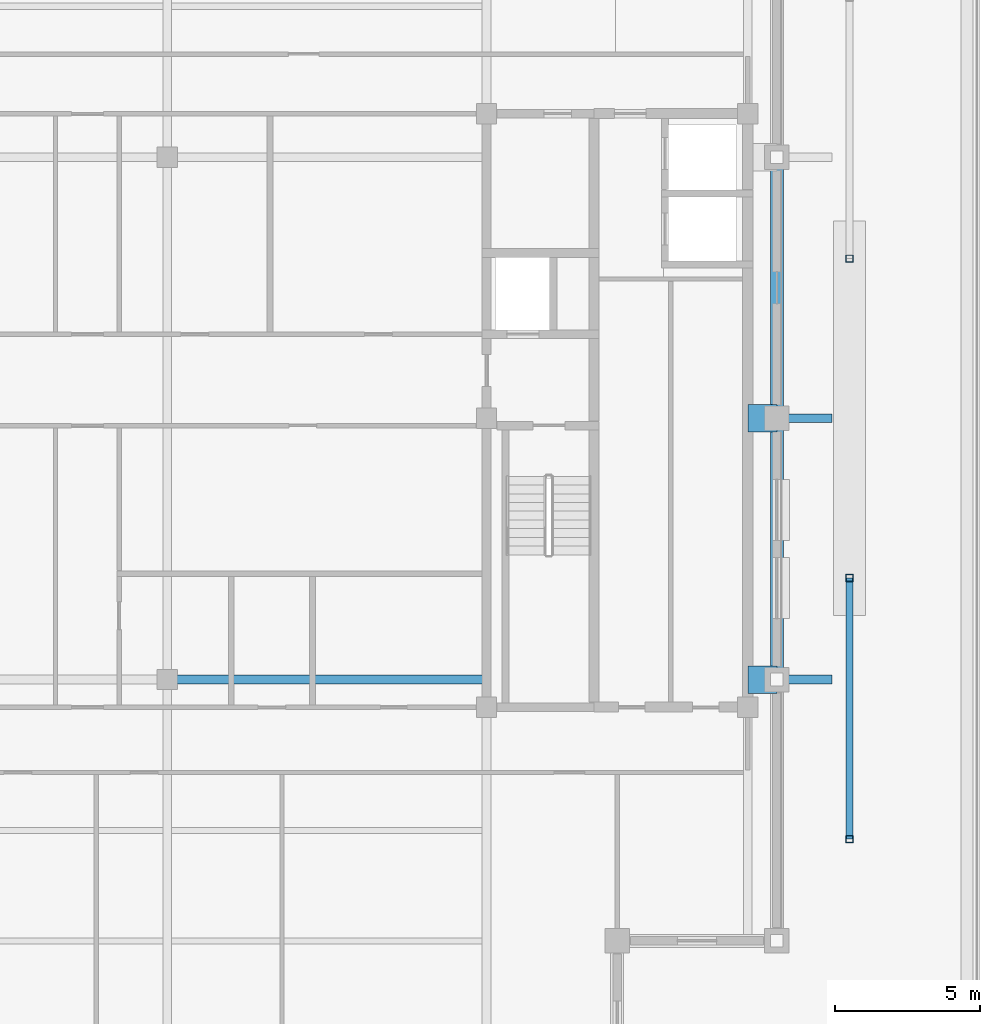
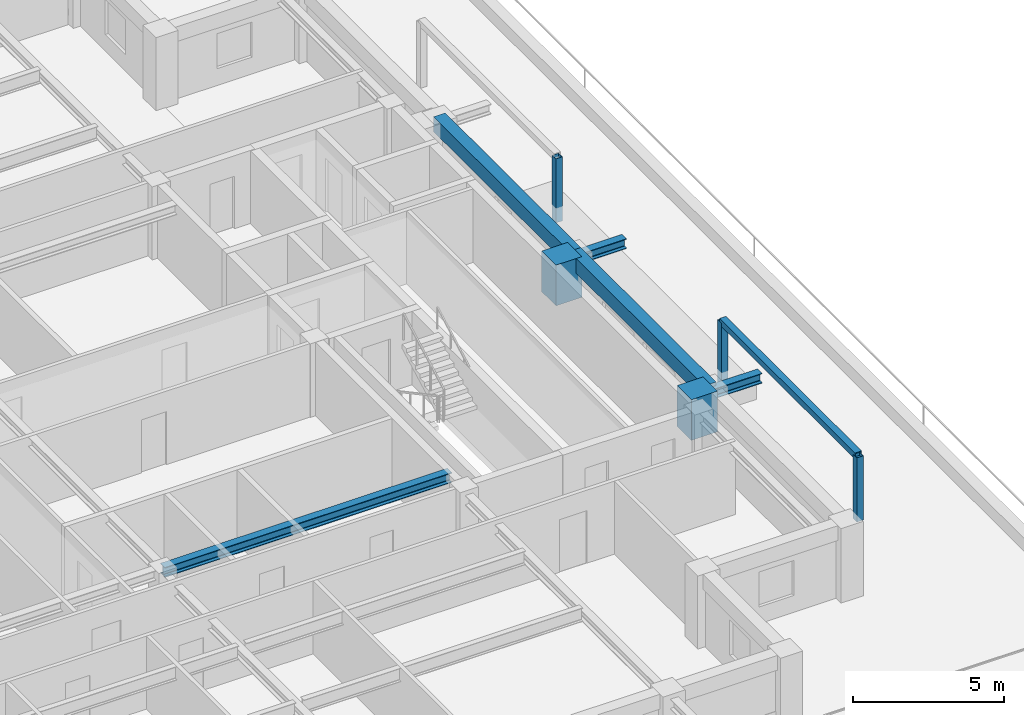
# One storey, part 2 of 14: 7 beams, 4 members.
"""IFC4 building model written with IfcOpenShell, lengths in metres."""

from ifc_helpers import new_model, si_unit, direction, frame, origin, origin_2d, place, context, subcontext, project, spatial, rectangle, hollow_rectangle, i_section, extrude, material, material_profile, profile_set, type_object, element, save


model = new_model("IFC4")

# Units and contexts
model_context = context("Model", 3, precision=1e-05, world=origin(), true_north=direction((0.0, 1.0)))
body_context = subcontext(model_context, "Body", "Model", "MODEL_VIEW")
ifc_project = project(units=[si_unit("LENGTHUNIT", "METRE"), si_unit("AREAUNIT", "SQUARE_METRE"), si_unit("VOLUMEUNIT", "CUBIC_METRE"), si_unit("PLANEANGLEUNIT", "RADIAN"), si_unit("MASSUNIT", "GRAM", prefix="KILO")], contexts=[model_context])

# Site, building, storey
site_placement = place(None, origin())
site = spatial("IfcSite", under=ifc_project, at=site_placement, CompositionType="ELEMENT")
building_placement = place(site_placement, origin())
building = spatial("IfcBuilding", under=site, at=building_placement, Name="Zulmaris Gate Convention Tower", CompositionType="ELEMENT")
storey_placement = place(building_placement, frame((0.0, 0.0, 254.429931640625)))
storey = spatial("IfcBuildingStorey", under=building, at=storey_placement, Name="L67", CompositionType="ELEMENT", Elevation=254.429931640625)

# Beams
ifc_material_1 = material(Name="Steel S355", Category="steel")
ifc_material_profile_1 = material_profile(ifc_material_1, i_section(OverallWidth=0.300048828125, OverallDepth=0.39990234375, WebThickness=0.013427734375, FlangeThickness=0.02392578125, FilletRadius=0.027099609375, at=origin_2d()), Name="HEB 400")
ifc_profile_set_1 = profile_set([ifc_material_profile_1], Name="Steel S355")
beam_type_1 = type_object("IfcBeamType", Name="BM-HEB400", PredefinedType="BEAM", material=ifc_profile_set_1)
for number, where, z_axis, x_axis, name in (
    (1, (21.0, -9.0, 2.639892578125), (1.0, 0.0, 0.0), (0.0, 1.0, 0.0), "L67 Beam TBRK-L67-E--9"),
    (2, (21.0, 0.0, 2.639892578125), (1.0, 0.0, 0.0), (0.0, 1.0, 0.0), "L67 Beam TBRK-L67-E-+0"),
):
    element("IfcBeam", number, at=place(storey_placement, frame(where, z_axis=z_axis, x_axis=x_axis)), inside=storey, type_object=beam_type_1, Name=name, PredefinedType="BEAM", context=body_context, shape_type="SweptSolid", body=[
        extrude(i_section(OverallWidth=0.300048828125, OverallDepth=0.39990234375, WebThickness=0.013427734375, FlangeThickness=0.02392578125, FilletRadius=0.027099609375, at=origin_2d()), origin(), (0.0, 0.0, 1.0), 1.89990234375),
    ])
beam_placement = place(storey_placement, frame((0.0, -9.0, 2.778076171875), z_axis=(1.0, 0.0, 0.0), x_axis=(0.0, 1.0, 0.0)))
element("IfcBeam", 3, at=beam_placement, inside=storey, type_object=beam_type_1, Name="L67 Beam BM-L67-G02", PredefinedType="BEAM", context=body_context, shape_type="SweptSolid", body=[
    extrude(i_section(OverallWidth=0.300048828125, OverallDepth=0.39990234375, WebThickness=0.013427734375, FlangeThickness=0.02392578125, FilletRadius=0.027099609375, at=origin_2d()), origin(), (0.0, 0.0, 1.0), 11.0),
])
ifc_material_2 = material(Name="Precast concrete C50/60", Category="concrete")
ifc_material_profile_2 = material_profile(ifc_material_2, rectangle(XDim=0.449951171875, YDim=0.60009765625, at=origin_2d()), Name="RC SPANDREL 450x600")
ifc_profile_set_2 = profile_set([ifc_material_profile_2], Name="Precast concrete C50/60")
beam_type_2 = type_object("IfcBeamType", Name="BM-SP450x600", PredefinedType="SPANDREL", material=ifc_profile_set_2)
for number, where, z_axis, x_axis, name in (
    (4, (21.0, -9.0, 2.679931640625), (0.0, 1.0, 0.0), (-1.0, 0.0, 0.0), "L67 Spandrel SP-L67-08"),
    (5, (21.0, 0.0, 2.679931640625), (0.0, 1.0, 0.0), (-1.0, 0.0, 0.0), "L67 Spandrel SP-L67-09"),
):
    element("IfcBeam", number, at=place(storey_placement, frame(where, z_axis=z_axis, x_axis=x_axis)), inside=storey, type_object=beam_type_2, Name=name, PredefinedType="SPANDREL", context=body_context, shape_type="SweptSolid", body=[
        extrude(rectangle(XDim=0.449951171875, YDim=0.60009765625, at=origin_2d()), origin(), (0.0, 0.0, 1.0), 9.0),
    ])
ifc_material_3 = material(Name="Concrete C80/95", Category="concrete")
ifc_material_profile_3 = material_profile(ifc_material_3, rectangle(XDim=0.949951171875, YDim=1.64990234375, at=origin_2d()), Name="RC TRANSFER 950x1650")
ifc_profile_set_3 = profile_set([ifc_material_profile_3], Name="Concrete C80/95")
beam_type_3 = type_object("IfcBeamType", Name="BM-XFER1650", PredefinedType="BEAM", material=ifc_profile_set_3)
for number, where, z_axis, x_axis, name in (
    (6, (20.0, -9.0, 2.155029296875), (1.0, 0.0, 0.0), (0.0, 1.0, 0.0), "L67 Beam BM-L67-G19"),
    (7, (20.0, 0.0, 2.155029296875), (1.0, 0.0, 0.0), (0.0, 1.0, 0.0), "L67 Beam BM-L67-G20"),
):
    element("IfcBeam", number, at=place(storey_placement, frame(where, z_axis=z_axis, x_axis=x_axis)), inside=storey, type_object=beam_type_3, Name=name, PredefinedType="BEAM", context=body_context, shape_type="SweptSolid", body=[
        extrude(rectangle(XDim=0.949951171875, YDim=1.64990234375, at=origin_2d()), origin(), (0.0, 0.0, 1.0), 1.0),
    ])

# Members
ifc_material_profile_4 = material_profile(ifc_material_1, hollow_rectangle(XDim=0.25, YDim=0.25, WallThickness=0.012451171875, at=origin_2d()), Name="SHS 250x250x12.5")
ifc_profile_set_4 = profile_set([ifc_material_profile_4], Name="Steel S355")
member_type = type_object("IfcMemberType", Name="ST-SHS250", PredefinedType="STRUT", material=ifc_profile_set_4)
for number, where, z_axis, x_axis, name in (
    (8, (23.5, -14.5, -0.0400390625), (0.0, 0.0, 1.0), (1.0, 0.0, 0.0), "L67 Exposed Terrace Planted Pergola Post 1A"),
    (9, (23.5, -5.5, -0.0400390625), (0.0, 0.0, 1.0), (1.0, 0.0, 0.0), "L67 Exposed Terrace Planted Pergola Post 1B"),
):
    element("IfcMember", number, at=place(storey_placement, frame(where, z_axis=z_axis, x_axis=x_axis)), inside=storey, type_object=member_type, Name=name, PredefinedType="STRUT", context=body_context, shape_type="SweptSolid", body=[
        extrude(hollow_rectangle(XDim=0.25, YDim=0.25, WallThickness=0.012451171875, at=origin_2d()), origin(), (0.0, 0.0, 1.0), 2.60009765625),
    ])
member_1_placement = place(storey_placement, frame((23.5, -14.5, 2.56005859375), z_axis=(0.0, 1.0, 0.0), x_axis=(-1.0, 0.0, 0.0)))
element("IfcMember", 10, at=member_1_placement, inside=storey, type_object=member_type, Name="L67 Exposed Terrace Planted Pergola Beam 1", PredefinedType="STRUT", context=body_context, shape_type="SweptSolid", body=[
    extrude(hollow_rectangle(XDim=0.25, YDim=0.25, WallThickness=0.012451171875, at=origin_2d()), origin(), (0.0, 0.0, 1.0), 9.0),
])
member_2_placement = place(storey_placement, frame((23.5, 5.5, -0.0400390625), z_axis=(0.0, 0.0, 1.0), x_axis=(1.0, 0.0, 0.0)))
element("IfcMember", 11, at=member_2_placement, inside=storey, type_object=member_type, Name="L67 Exposed Terrace Planted Pergola Post 2A", PredefinedType="STRUT", context=body_context, shape_type="SweptSolid", body=[
    extrude(hollow_rectangle(XDim=0.25, YDim=0.25, WallThickness=0.012451171875, at=origin_2d()), origin(), (0.0, 0.0, 1.0), 2.60009765625),
])

save(model, "model.ifc")
